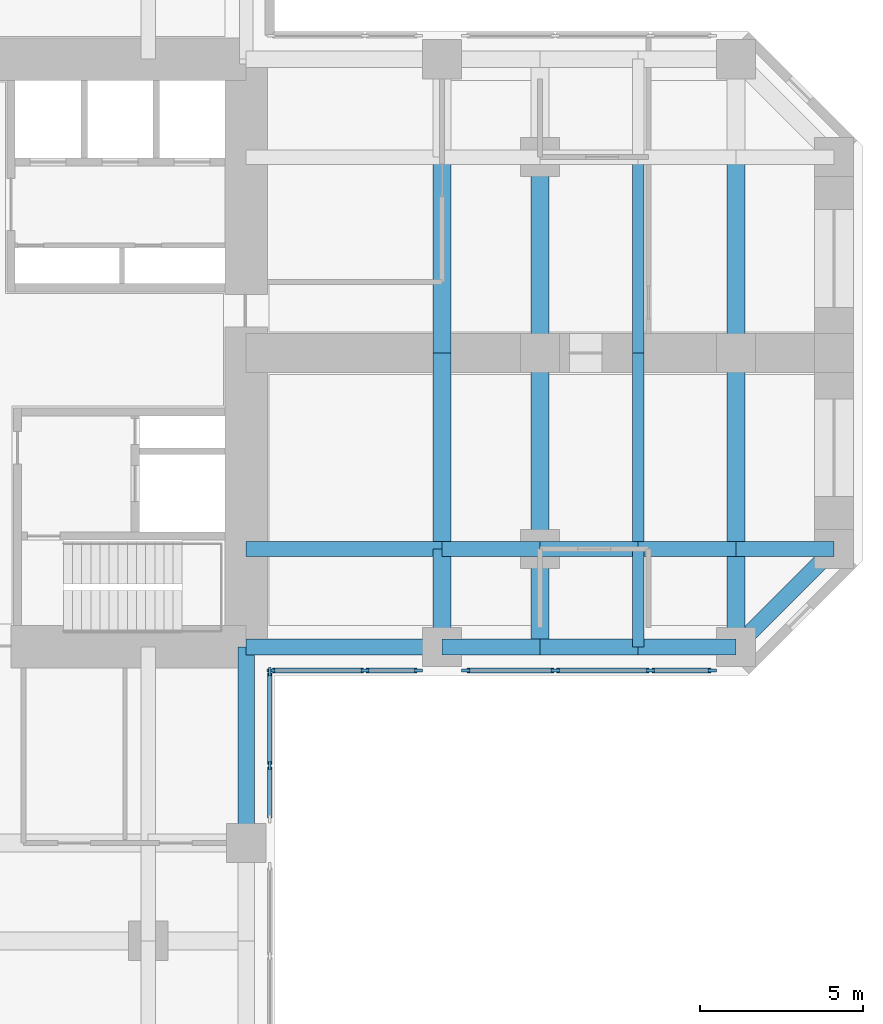
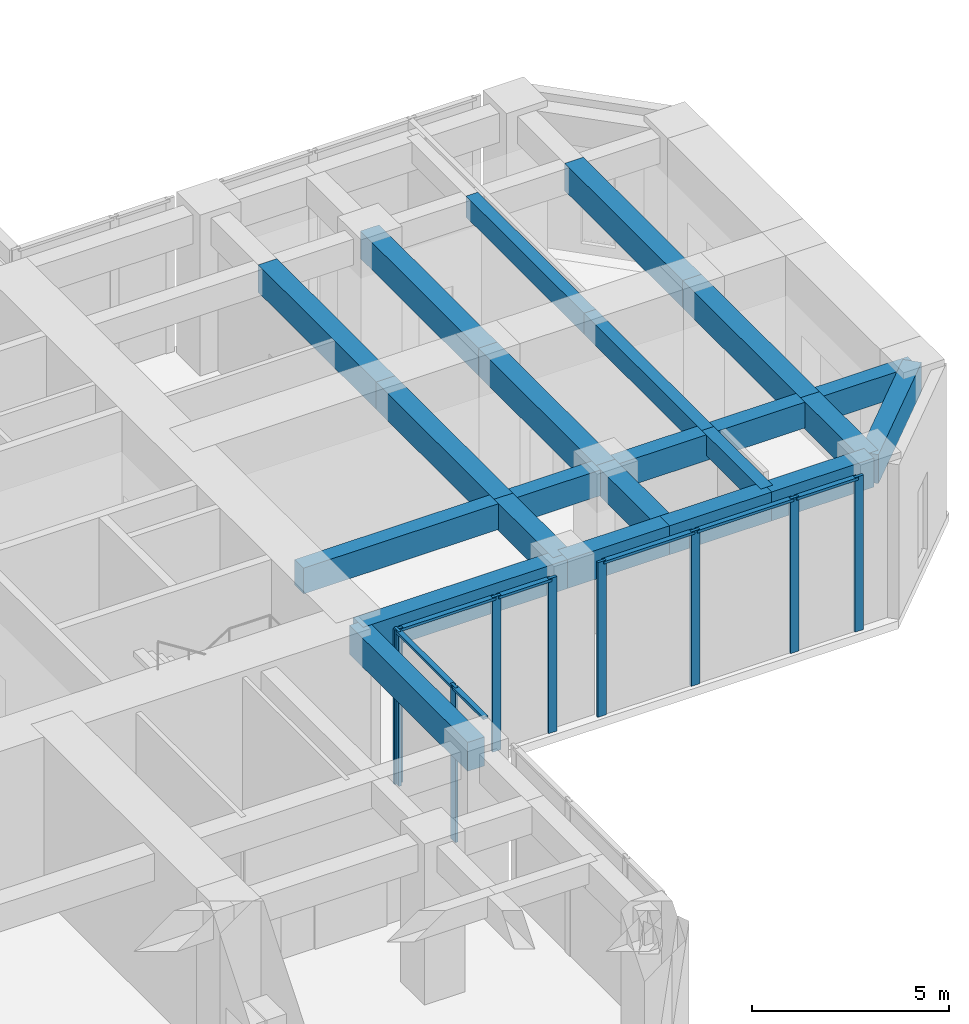
# One storey, part 3 of 11: 23 beams, 16 members, 2 elements without a shape of their own.
"""IFC4 building model written with IfcOpenShell, lengths in metres."""

from ifc_helpers import new_model, si_unit, direction, frame, origin, origin_2d, place, context, subcontext, project, spatial, rectangle, extrude, material, material_profile, profile_set, type_object, element, aggregate, save


model = new_model("IFC4")

# Units and contexts
model_context = context("Model", 3, precision=1e-05, world=origin(), true_north=direction((0.0, 1.0)))
body_context = subcontext(model_context, "Body", "Model", "MODEL_VIEW")
ifc_project = project(units=[si_unit("LENGTHUNIT", "METRE"), si_unit("AREAUNIT", "SQUARE_METRE"), si_unit("VOLUMEUNIT", "CUBIC_METRE"), si_unit("PLANEANGLEUNIT", "RADIAN"), si_unit("MASSUNIT", "GRAM", prefix="KILO")], contexts=[model_context])

# Site, building, storey
site_placement = place(None, origin())
site = spatial("IfcSite", under=ifc_project, at=site_placement, CompositionType="ELEMENT")
building_placement = place(site_placement, origin())
building = spatial("IfcBuilding", under=site, at=building_placement, Name="Torre Cruceta", CompositionType="ELEMENT")
storey_placement = place(building_placement, frame((0.0, 0.0, 95.5)))
storey = spatial("IfcBuildingStorey", under=building, at=storey_placement, Name="L23", CompositionType="ELEMENT", Elevation=95.5)

# Beams
ifc_material_1 = material(Name="Concrete G60 (fck 60 MPa)", Category="concrete")
ifc_material_profile_1 = material_profile(ifc_material_1, rectangle(XDim=0.449951171875, YDim=0.800048828125, at=origin_2d()), Name="RC 450X800")
ifc_profile_set_1 = profile_set([ifc_material_profile_1], Name="Concrete G60 (fck 60 MPa)")
beam_type_1 = type_object("IfcBeamType", Name="COLUMN LINE BEAM RC 450X800", PredefinedType="BEAM", material=ifc_profile_set_1)
beam_1_placement = place(storey_placement, frame((9.0, -6.0, 4.39990234375), z_axis=(1.0, 0.0, 0.0), x_axis=(0.0, 1.0, 0.0)))
element("IfcBeam", 1, at=beam_1_placement, inside=storey, type_object=beam_type_1, Name="LB1 L23 E col- 1", PredefinedType="BEAM", context=body_context, shape_type="SweptSolid", body=[
    extrude(rectangle(XDim=0.449951171875, YDim=0.800048828125, at=origin_2d()), origin(), (0.0, 0.0, 1.0), 6.0),
])
for number, where, z_axis, x_axis, name in (
    (2, (15.0, -6.0, 4.39990234375), (1.0, 0.0, 0.0), (0.0, 1.0, 0.0), "LB1 L23 E col- 2"),
    (3, (18.0, -6.0, 4.39990234375), (1.0, 0.0, 0.0), (0.0, 1.0, 0.0), "LB1 L23 E col- 3"),
    (4, (21.0, -6.0, 4.39990234375), (1.0, 0.0, 0.0), (0.0, 1.0, 0.0), "LB1 L23 E col- 4"),
    (5, (24.0, -6.0, 4.39990234375), (1.0, 0.0, 0.0), (0.0, 1.0, 0.0), "LB1 L23 E col- 5"),
):
    element("IfcBeam", number, at=place(storey_placement, frame(where, z_axis=z_axis, x_axis=x_axis)), inside=storey, type_object=beam_type_1, Name=name, PredefinedType="BEAM", context=body_context, shape_type="SweptSolid", body=[
        extrude(rectangle(XDim=0.449951171875, YDim=0.800048828125, at=origin_2d()), origin(), (0.0, 0.0, 1.0), 3.0),
    ])
ifc_material_2 = material(Name="Concrete G60 (fck 60 MPa)", Category="concrete")
ifc_material_profile_2 = material_profile(ifc_material_2, rectangle(XDim=0.550048828125, YDim=0.85009765625, at=origin_2d()), Name="RC 550X850")
ifc_profile_set_2 = profile_set([ifc_material_profile_2], Name="Concrete G60 (fck 60 MPa)")
beam_type_2 = type_object("IfcBeamType", Name="CROSS BEAM RC 550X850", PredefinedType="BEAM", material=ifc_profile_set_2)
beam_2_placement = place(storey_placement, frame((15.0, -9.0, 4.375), z_axis=(0.0, 1.0, 0.0), x_axis=(-1.0, 0.0, 0.0)))
element("IfcBeam", 6, at=beam_2_placement, inside=storey, type_object=beam_type_2, Name="GB4 L23 E cross15 1", PredefinedType="BEAM", context=body_context, shape_type="SweptSolid", body=[
    extrude(rectangle(XDim=0.550048828125, YDim=0.85009765625, at=origin_2d()), origin(), (0.0, 0.0, 1.0), 3.0),
])
for number, where, z_axis, x_axis, name in (
    (7, (15.0, -6.0, 4.375), (0.0, 1.0, 0.0), (-1.0, 0.0, 0.0), "GB4 L23 E cross15 2"),
    (8, (15.0, 0.0, 4.375), (0.0, 1.0, 0.0), (-1.0, 0.0, 0.0), "GB4 L23 E cross15 3"),
):
    element("IfcBeam", number, at=place(storey_placement, frame(where, z_axis=z_axis, x_axis=x_axis)), inside=storey, type_object=beam_type_2, Name=name, PredefinedType="BEAM", context=body_context, shape_type="SweptSolid", body=[
        extrude(rectangle(XDim=0.550048828125, YDim=0.85009765625, at=origin_2d()), origin(), (0.0, 0.0, 1.0), 6.0),
    ])
beam_3_placement = place(storey_placement, frame((18.0, -9.0, 4.375), z_axis=(0.0, 1.0, 0.0), x_axis=(-1.0, 0.0, 0.0)))
element("IfcBeam", 9, at=beam_3_placement, inside=storey, type_object=beam_type_2, Name="GB4 L23 E cross18 1", PredefinedType="BEAM", context=body_context, shape_type="SweptSolid", body=[
    extrude(rectangle(XDim=0.550048828125, YDim=0.85009765625, at=origin_2d()), origin(), (0.0, 0.0, 1.0), 3.0),
])
for number, where, z_axis, x_axis, name in (
    (10, (18.0, -6.0, 4.375), (0.0, 1.0, 0.0), (-1.0, 0.0, 0.0), "GB4 L23 E cross18 2"),
    (11, (18.0, 0.0, 4.375), (0.0, 1.0, 0.0), (-1.0, 0.0, 0.0), "GB4 L23 E cross18 3"),
):
    element("IfcBeam", number, at=place(storey_placement, frame(where, z_axis=z_axis, x_axis=x_axis)), inside=storey, type_object=beam_type_2, Name=name, PredefinedType="BEAM", context=body_context, shape_type="SweptSolid", body=[
        extrude(rectangle(XDim=0.550048828125, YDim=0.85009765625, at=origin_2d()), origin(), (0.0, 0.0, 1.0), 6.0),
    ])
beam_4_placement = place(storey_placement, frame((24.0, -9.0, 4.375), z_axis=(0.0, 1.0, 0.0), x_axis=(-1.0, 0.0, 0.0)))
element("IfcBeam", 12, at=beam_4_placement, inside=storey, type_object=beam_type_2, Name="GB4 L23 E cross24 1", PredefinedType="BEAM", context=body_context, shape_type="SweptSolid", body=[
    extrude(rectangle(XDim=0.550048828125, YDim=0.85009765625, at=origin_2d()), origin(), (0.0, 0.0, 1.0), 3.0),
])
for number, where, z_axis, x_axis, name in (
    (13, (24.0, -6.0, 4.375), (0.0, 1.0, 0.0), (-1.0, 0.0, 0.0), "GB4 L23 E cross24 2"),
    (14, (24.0, 0.0, 4.375), (0.0, 1.0, 0.0), (-1.0, 0.0, 0.0), "GB4 L23 E cross24 3"),
):
    element("IfcBeam", number, at=place(storey_placement, frame(where, z_axis=z_axis, x_axis=x_axis)), inside=storey, type_object=beam_type_2, Name=name, PredefinedType="BEAM", context=body_context, shape_type="SweptSolid", body=[
        extrude(rectangle(XDim=0.550048828125, YDim=0.85009765625, at=origin_2d()), origin(), (0.0, 0.0, 1.0), 6.0),
    ])

# Curtain wall, members
ifc_material_3 = material(Name="Aluminium unitised curtain wall", Category="aluminium")
curtain_wall_type = type_object("IfcCurtainWallType", Name="CURTAIN WALL CW-S SKY GARDEN", PredefinedType="USERDEFINED", material=ifc_material_3)
curtain_wall_1_placement = place(storey_placement, origin())
curtain_wall_1 = element("IfcCurtainWall", 15, at=curtain_wall_1_placement, inside=storey, type_object=curtain_wall_type, Name="CW-S L23 E side 00", ObjectType="UNITISED", PredefinedType="USERDEFINED")
ifc_material_4 = material(Name="Aluminium mullion", Category="aluminium")
ifc_material_profile_3 = material_profile(ifc_material_4, rectangle(XDim=0.080078125, YDim=0.25, at=origin_2d()), Name="AL 80X250")
ifc_profile_set_3 = profile_set([ifc_material_profile_3], Name="Aluminium mullion")
member_type_1 = type_object("IfcMemberType", Name="CW-S MULLION 80X250", PredefinedType="MULLION", material=ifc_profile_set_3)
member_1_placement = place(storey_placement, frame((9.760009765625, -9.719970703125, 0.0), z_axis=(0.0, 0.0, 1.0), x_axis=(0.0, 1.0, 0.0)))
member_1 = element("IfcMember", 16, at=member_1_placement, type_object=member_type_1, Name="CW-S mullion 1", PredefinedType="MULLION", context=body_context, shape_type="SweptSolid", body=[
    extrude(rectangle(XDim=0.080078125, YDim=0.25, at=origin_2d()), origin(), (0.0, 0.0, 1.0), 4.800048828125),
])
member_2_placement = place(storey_placement, frame((12.6357421875, -9.719970703125, 0.0), z_axis=(0.0, 0.0, 1.0), x_axis=(0.0, 1.0, 0.0)))
member_2 = element("IfcMember", 17, at=member_2_placement, type_object=member_type_1, Name="CW-S mullion 2", PredefinedType="MULLION", context=body_context, shape_type="SweptSolid", body=[
    extrude(rectangle(XDim=0.080078125, YDim=0.25, at=origin_2d()), origin(), (0.0, 0.0, 1.0), 4.800048828125),
])
member_3_placement = place(storey_placement, frame((14.27392578125, -9.719970703125, 0.0), z_axis=(0.0, 0.0, 1.0), x_axis=(0.0, 1.0, 0.0)))
member_3 = element("IfcMember", 18, at=member_3_placement, type_object=member_type_1, Name="CW-S mullion 3", PredefinedType="MULLION", context=body_context, shape_type="SweptSolid", body=[
    extrude(rectangle(XDim=0.080078125, YDim=0.25, at=origin_2d()), origin(), (0.0, 0.0, 1.0), 4.800048828125),
])
member_4_placement = place(storey_placement, frame((15.72607421875, -9.719970703125, 0.0), z_axis=(0.0, 0.0, 1.0), x_axis=(0.0, 1.0, 0.0)))
member_4 = element("IfcMember", 19, at=member_4_placement, type_object=member_type_1, Name="CW-S mullion 4", PredefinedType="MULLION", context=body_context, shape_type="SweptSolid", body=[
    extrude(rectangle(XDim=0.080078125, YDim=0.25, at=origin_2d()), origin(), (0.0, 0.0, 1.0), 4.800048828125),
])
member_5_placement = place(storey_placement, frame((18.467041015625, -9.719970703125, 0.0), z_axis=(0.0, 0.0, 1.0), x_axis=(0.0, 1.0, 0.0)))
member_5 = element("IfcMember", 20, at=member_5_placement, type_object=member_type_1, Name="CW-S mullion 5", PredefinedType="MULLION", context=body_context, shape_type="SweptSolid", body=[
    extrude(rectangle(XDim=0.080078125, YDim=0.25, at=origin_2d()), origin(), (0.0, 0.0, 1.0), 4.800048828125),
])
member_6_placement = place(storey_placement, frame((21.382568359375, -9.719970703125, 0.0), z_axis=(0.0, 0.0, 1.0), x_axis=(0.0, 1.0, 0.0)))
member_6 = element("IfcMember", 21, at=member_6_placement, type_object=member_type_1, Name="CW-S mullion 6", PredefinedType="MULLION", context=body_context, shape_type="SweptSolid", body=[
    extrude(rectangle(XDim=0.080078125, YDim=0.25, at=origin_2d()), origin(), (0.0, 0.0, 1.0), 4.800048828125),
])
member_7_placement = place(storey_placement, frame((23.27392578125, -9.719970703125, 0.0), z_axis=(0.0, 0.0, 1.0), x_axis=(0.0, 1.0, 0.0)))
member_7 = element("IfcMember", 22, at=member_7_placement, type_object=member_type_1, Name="CW-S mullion 7", PredefinedType="MULLION", context=body_context, shape_type="SweptSolid", body=[
    extrude(rectangle(XDim=0.080078125, YDim=0.25, at=origin_2d()), origin(), (0.0, 0.0, 1.0), 4.800048828125),
])

curtain_wall_2_placement = place(storey_placement, origin())
curtain_wall_2 = element("IfcCurtainWall", 23, at=curtain_wall_2_placement, inside=storey, type_object=curtain_wall_type, Name="CW-S L23 S side 19", ObjectType="UNITISED", PredefinedType="USERDEFINED")
member_8_placement = place(storey_placement, frame((9.719970703125, -12.6357421875, 0.0), z_axis=(0.0, 0.0, 1.0), x_axis=(-1.0, 0.0, 0.0)))
member_8 = element("IfcMember", 24, at=member_8_placement, type_object=member_type_1, Name="CW-S mullion 6", PredefinedType="MULLION", context=body_context, shape_type="SweptSolid", body=[
    extrude(rectangle(XDim=0.080078125, YDim=0.25, at=origin_2d()), origin(), (0.0, 0.0, 1.0), 4.800048828125),
])
member_9_placement = place(storey_placement, frame((9.719970703125, -9.760009765625, 0.0), z_axis=(0.0, 0.0, 1.0), x_axis=(-1.0, 0.0, 0.0)))
member_9 = element("IfcMember", 25, at=member_9_placement, type_object=member_type_1, Name="CW-S mullion 7", PredefinedType="MULLION", context=body_context, shape_type="SweptSolid", body=[
    extrude(rectangle(XDim=0.080078125, YDim=0.25, at=origin_2d()), origin(), (0.0, 0.0, 1.0), 4.800048828125),
])

# Member
ifc_material_5 = material(Name="Aluminium transom", Category="aluminium")
ifc_material_profile_4 = material_profile(ifc_material_5, rectangle(XDim=0.14990234375, YDim=0.080078125, at=origin_2d()), Name="AL 150X80")
ifc_profile_set_4 = profile_set([ifc_material_profile_4], Name="Aluminium transom")
member_type_2 = type_object("IfcMemberType", Name="CW-S TRANSOM 80X150", PredefinedType="USERDEFINED", material=ifc_profile_set_4)
member_10_placement = place(storey_placement, frame((9.800048828125, -9.719970703125, 4.760009765625), z_axis=(1.0, 0.0, 0.0), x_axis=(0.0, 1.0, 0.0)))
member_10 = element("IfcMember", 26, at=member_10_placement, type_object=member_type_2, Name="CW-S transom 1", ObjectType="TRANSOM", PredefinedType="USERDEFINED", context=body_context, shape_type="SweptSolid", body=[
    extrude(rectangle(XDim=0.14990234375, YDim=0.080078125, at=origin_2d()), origin(), (0.0, 0.0, 1.0), 2.795654296875),
])

member_11_placement = place(storey_placement, frame((12.675537109375, -9.719970703125, 4.760009765625), z_axis=(1.0, 0.0, 0.0), x_axis=(0.0, 1.0, 0.0)))
member_11 = element("IfcMember", 27, at=member_11_placement, type_object=member_type_2, Name="CW-S transom 2", ObjectType="TRANSOM", PredefinedType="USERDEFINED", context=body_context, shape_type="SweptSolid", body=[
    extrude(rectangle(XDim=0.14990234375, YDim=0.080078125, at=origin_2d()), origin(), (0.0, 0.0, 1.0), 1.558349609375),
])

member_12_placement = place(storey_placement, frame((15.76611328125, -9.719970703125, 4.760009765625), z_axis=(1.0, 0.0, 0.0), x_axis=(0.0, 1.0, 0.0)))
member_12 = element("IfcMember", 28, at=member_12_placement, type_object=member_type_2, Name="CW-S transom 3", ObjectType="TRANSOM", PredefinedType="USERDEFINED", context=body_context, shape_type="SweptSolid", body=[
    extrude(rectangle(XDim=0.14990234375, YDim=0.080078125, at=origin_2d()), origin(), (0.0, 0.0, 1.0), 2.660888671875),
])

member_13_placement = place(storey_placement, frame((18.5068359375, -9.719970703125, 4.760009765625), z_axis=(1.0, 0.0, 0.0), x_axis=(0.0, 1.0, 0.0)))
member_13 = element("IfcMember", 29, at=member_13_placement, type_object=member_type_2, Name="CW-S transom 4", ObjectType="TRANSOM", PredefinedType="USERDEFINED", context=body_context, shape_type="SweptSolid", body=[
    extrude(rectangle(XDim=0.14990234375, YDim=0.080078125, at=origin_2d()), origin(), (0.0, 0.0, 1.0), 2.835693359375),
])

member_14_placement = place(storey_placement, frame((21.422607421875, -9.719970703125, 4.760009765625), z_axis=(1.0, 0.0, 0.0), x_axis=(0.0, 1.0, 0.0)))
member_14 = element("IfcMember", 30, at=member_14_placement, type_object=member_type_2, Name="CW-S transom 5", ObjectType="TRANSOM", PredefinedType="USERDEFINED", context=body_context, shape_type="SweptSolid", body=[
    extrude(rectangle(XDim=0.14990234375, YDim=0.080078125, at=origin_2d()), origin(), (0.0, 0.0, 1.0), 1.811279296875),
])

aggregate(curtain_wall_1, [member_1, member_2, member_3, member_4, member_5, member_6, member_7, member_10, member_11, member_12, member_13, member_14])

member_15_placement = place(storey_placement, frame((9.719970703125, -14.23388671875, 4.760009765625), z_axis=(0.0, 1.0, 0.0), x_axis=(-1.0, 0.0, 0.0)))
member_15 = element("IfcMember", 31, at=member_15_placement, type_object=member_type_2, Name="CW-S transom 4", ObjectType="TRANSOM", PredefinedType="USERDEFINED", context=body_context, shape_type="SweptSolid", body=[
    extrude(rectangle(XDim=0.14990234375, YDim=0.080078125, at=origin_2d()), origin(), (0.0, 0.0, 1.0), 1.558349609375),
])

member_16_placement = place(storey_placement, frame((9.719970703125, -12.595703125, 4.760009765625), z_axis=(0.0, 1.0, 0.0), x_axis=(-1.0, 0.0, 0.0)))
member_16 = element("IfcMember", 32, at=member_16_placement, type_object=member_type_2, Name="CW-S transom 5", ObjectType="TRANSOM", PredefinedType="USERDEFINED", context=body_context, shape_type="SweptSolid", body=[
    extrude(rectangle(XDim=0.14990234375, YDim=0.080078125, at=origin_2d()), origin(), (0.0, 0.0, 1.0), 2.795654296875),
])

aggregate(curtain_wall_2, [member_8, member_9, member_15, member_16])

# Beams
ifc_material_6 = material(Name="Concrete G60 (fck 60 MPa)", Category="concrete")
ifc_material_profile_5 = material_profile(ifc_material_6, rectangle(XDim=0.35009765625, YDim=0.64990234375, at=origin_2d()), Name="RC 350X650")
ifc_profile_set_5 = profile_set([ifc_material_profile_5], Name="Concrete G60 (fck 60 MPa)")
beam_type_3 = type_object("IfcBeamType", Name="SECONDARY BEAM RC 350X650", PredefinedType="JOIST", material=ifc_profile_set_5)
beam_5_placement = place(storey_placement, frame((21.0, -9.0, 4.47509765625), z_axis=(0.0, 1.0, 0.0), x_axis=(-1.0, 0.0, 0.0)))
element("IfcBeam", 33, at=beam_5_placement, inside=storey, type_object=beam_type_3, Name="JB3 L23 E sec21 1", PredefinedType="JOIST", context=body_context, shape_type="SweptSolid", body=[
    extrude(rectangle(XDim=0.35009765625, YDim=0.64990234375, at=origin_2d()), origin(), (0.0, 0.0, 1.0), 3.0),
])
for number, where, z_axis, x_axis, name in (
    (34, (21.0, -6.0, 4.47509765625), (0.0, 1.0, 0.0), (-1.0, 0.0, 0.0), "JB3 L23 E sec21 2"),
    (35, (21.0, 0.0, 4.47509765625), (0.0, 1.0, 0.0), (-1.0, 0.0, 0.0), "JB3 L23 E sec21 3"),
):
    element("IfcBeam", number, at=place(storey_placement, frame(where, z_axis=z_axis, x_axis=x_axis)), inside=storey, type_object=beam_type_3, Name=name, PredefinedType="JOIST", context=body_context, shape_type="SweptSolid", body=[
        extrude(rectangle(XDim=0.35009765625, YDim=0.64990234375, at=origin_2d()), origin(), (0.0, 0.0, 1.0), 6.0),
    ])
ifc_material_7 = material(Name="Concrete G60 (fck 60 MPa)", Category="concrete")
ifc_material_profile_6 = material_profile(ifc_material_7, rectangle(XDim=0.5, YDim=0.89990234375, at=origin_2d()), Name="RC 500X900")
ifc_profile_set_6 = profile_set([ifc_material_profile_6], Name="Concrete G60 (fck 60 MPa)")
beam_type_4 = type_object("IfcBeamType", Name="SPANDREL BEAM RC 500X900", PredefinedType="SPANDREL", material=ifc_profile_set_6)
beam_6_placement = place(storey_placement, frame((9.0, -9.0, 4.35009765625), z_axis=(1.0, 0.0, 0.0), x_axis=(0.0, 1.0, 0.0)))
element("IfcBeam", 36, at=beam_6_placement, inside=storey, type_object=beam_type_4, Name="SB4 L23 E side- 1", PredefinedType="SPANDREL", context=body_context, shape_type="SweptSolid", body=[
    extrude(rectangle(XDim=0.5, YDim=0.89990234375, at=origin_2d()), origin(), (0.0, 0.0, 1.0), 6.0),
])
for number, where, z_axis, x_axis, name in (
    (37, (15.0, -9.0, 4.35009765625), (1.0, 0.0, 0.0), (0.0, 1.0, 0.0), "SB4 L23 E side- 2"),
    (38, (18.0, -9.0, 4.35009765625), (1.0, 0.0, 0.0), (0.0, 1.0, 0.0), "SB4 L23 E side- 3"),
    (39, (21.0, -9.0, 4.35009765625), (1.0, 0.0, 0.0), (0.0, 1.0, 0.0), "SB4 L23 E side- 4"),
):
    element("IfcBeam", number, at=place(storey_placement, frame(where, z_axis=z_axis, x_axis=x_axis)), inside=storey, type_object=beam_type_4, Name=name, PredefinedType="SPANDREL", context=body_context, shape_type="SweptSolid", body=[
        extrude(rectangle(XDim=0.5, YDim=0.89990234375, at=origin_2d()), origin(), (0.0, 0.0, 1.0), 3.0),
    ])
beam_7_placement = place(storey_placement, frame((24.0, -9.0, 4.35009765625), z_axis=(0.707106781187, 0.707106781187, 0.0), x_axis=(-0.707106781187, 0.707106781187, 0.0)))
element("IfcBeam", 40, at=beam_7_placement, inside=storey, type_object=beam_type_4, Name="SB4 L23 E side- 5", PredefinedType="SPANDREL", context=body_context, shape_type="SweptSolid", body=[
    extrude(rectangle(XDim=0.5, YDim=0.89990234375, at=origin_2d()), origin(), (0.0, 0.0, 1.0), 4.24267578125),
])
beam_8_placement = place(storey_placement, frame((9.0, -9.0, 4.35009765625), z_axis=(0.0, -1.0, 0.0), x_axis=(1.0, 0.0, 0.0)))
element("IfcBeam", 41, at=beam_8_placement, inside=storey, type_object=beam_type_4, Name="SB4 L23 S side+ 1", PredefinedType="SPANDREL", context=body_context, shape_type="SweptSolid", body=[
    extrude(rectangle(XDim=0.5, YDim=0.89990234375, at=origin_2d()), origin(), (0.0, 0.0, 1.0), 6.0),
])

save(model, "model.ifc")
